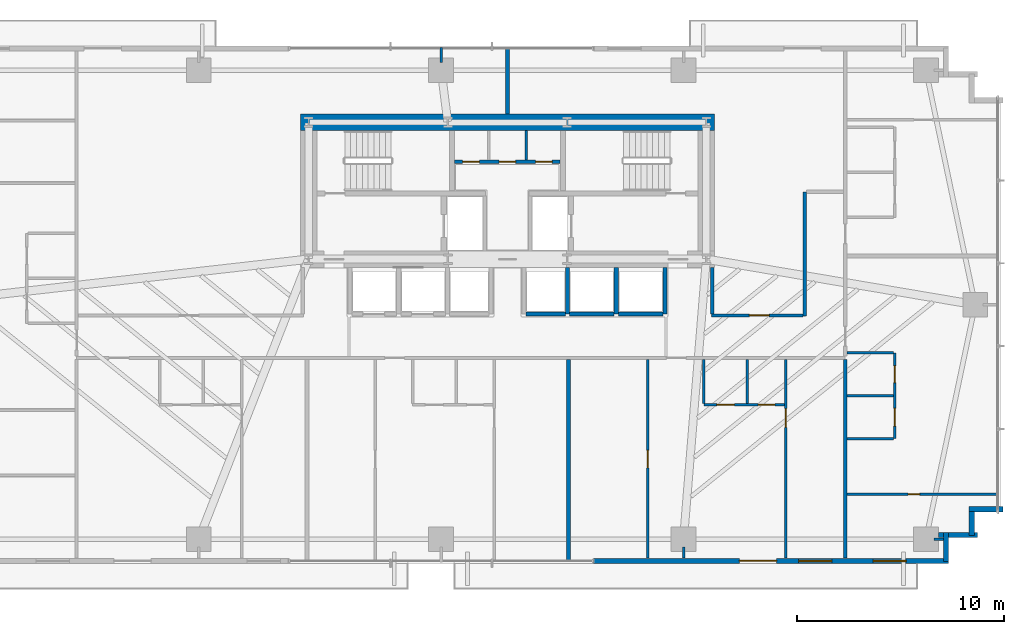
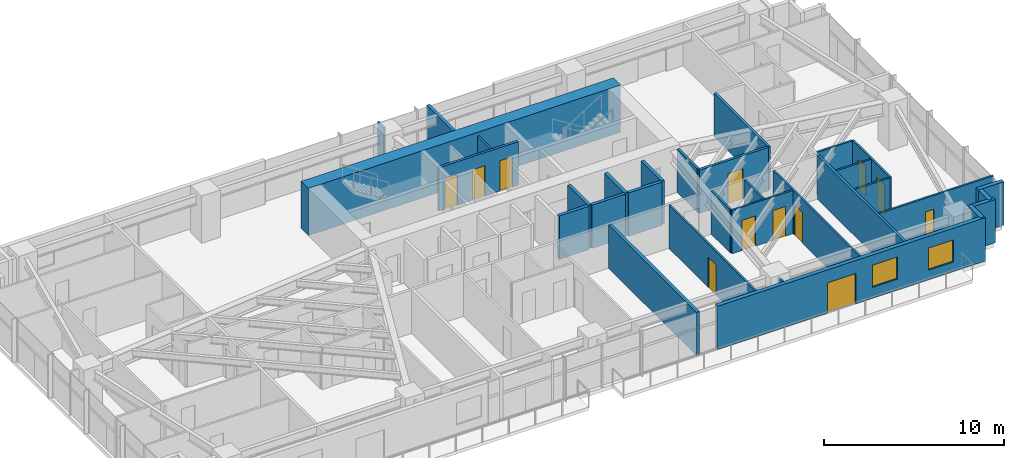
# One storey, part 21 of 25: 33 walls, 12 doors, 2 windows, 14 openings.
"""IFC4 building model written with IfcOpenShell, lengths in metres."""

from ifc_helpers import new_model, si_unit, direction, frame, frame_2d, origin, place, context, subcontext, project, spatial, rectangle, extrude, source, transform, mapped, material, layer, layer_set, type_object, type_shapes, element, fill, save


model = new_model("IFC4")

# Units and contexts
model_context = context("Model", 3, precision=1e-05, world=origin(), true_north=direction((0.0, 1.0)))
body_context = subcontext(model_context, "Body", "Model", "MODEL_VIEW")
ifc_project = project(units=[si_unit("LENGTHUNIT", "METRE"), si_unit("AREAUNIT", "SQUARE_METRE"), si_unit("VOLUMEUNIT", "CUBIC_METRE"), si_unit("PLANEANGLEUNIT", "RADIAN"), si_unit("MASSUNIT", "GRAM", prefix="KILO")], contexts=[model_context])

# Site, building, storey
site_placement = place(None, origin())
site = spatial("IfcSite", under=ifc_project, at=site_placement, CompositionType="ELEMENT")
building_placement = place(site_placement, origin())
building = spatial("IfcBuilding", under=site, at=building_placement, Name="Astriad Promenade Condominiums", CompositionType="ELEMENT")
storey_placement = place(building_placement, frame((0.0, 0.0, 42.199951171875)))
storey = spatial("IfcBuildingStorey", under=building, at=storey_placement, Name="L11", CompositionType="ELEMENT", Elevation=42.199951171875)

# Wall
ifc_material_1 = material(Name="Concrete C80/95", Category="concrete")
ifc_layer_1 = layer(ifc_material_1, 0.800048828125)
ifc_layer_set_1 = layer_set([ifc_layer_1], Name="Concrete C80/95")
wall_type_1 = type_object("IfcWallType", Name="CW-SHEAR-800", PredefinedType="SHEAR", material=ifc_layer_set_1)
wall_1_placement = place(storey_placement, frame((26.0, 24.0, 0.0), z_axis=(0.0, 0.0, 1.0), x_axis=(1.0, 0.0, 0.0)))
element("IfcWall", 1, at=wall_1_placement, inside=storey, type_object=wall_type_1, Name="CW-CORE-N-L11", PredefinedType="SHEAR", context=body_context, shape_type="SweptSolid", body=[
    extrude(rectangle(XDim=20.0, YDim=0.800048828125, at=frame_2d((10.0, 0.0))), origin(), (0.0, 0.0, 1.0), 3.199951171875),
])

# Wall, openings, doors
ifc_material_2 = material(Name="Fire-Rated Gypsum Partition")
ifc_layer_2 = layer(ifc_material_2, 0.159912109375)
ifc_layer_set_2 = layer_set([ifc_layer_2], Name="Fire-Rated Gypsum Partition")
wall_type_2 = type_object("IfcWallType", Name="WALL-CORR-160", PredefinedType="PARTITIONING", material=ifc_layer_set_2)
wall_2_placement = place(storey_placement, frame((33.451904296875, 22.10009765625, 0.0), z_axis=(0.0, 0.0, 1.0), x_axis=(1.0, 0.0, 0.0)))
wall_2 = element("IfcWall", 2, at=wall_2_placement, inside=storey, type_object=wall_type_2, Name="CW-AUX-N-L11", PredefinedType="PARTITIONING", context=body_context, shape_type="SweptSolid", body=[
    extrude(rectangle(XDim=5.09619140625, YDim=0.159912109375, at=frame_2d((2.548095703125, 0.0))), origin(), (0.0, 0.0, 1.0), 2.93994140625),
])
opening_1_placement = place(wall_2_placement, frame((0.387939453125, 0.0, 0.0)))
opening_1 = element("IfcOpeningElement", 3, at=opening_1_placement, cuts=wall_2, Name="Opening FD60-SV-080", PredefinedType="OPENING", context=body_context, shape_type="SweptSolid", body=[
    extrude(rectangle(XDim=0.800048828125, YDim=2.050048828125, at=frame_2d((0.39990234375, 1.02490234375))), frame((0.0, 0.08984375, 0.0), z_axis=(0.0, -1.0, 0.0), x_axis=(1.0, 0.0, 0.0)), (0.0, 0.0, 1.0), 0.179931640625),
])
opening_2_placement = place(wall_2_placement, frame((2.14794921875, 0.0, 0.0)))
opening_2 = element("IfcOpeningElement", 4, at=opening_2_placement, cuts=wall_2, Name="Opening FD60-SV-080", PredefinedType="OPENING", context=body_context, shape_type="SweptSolid", body=[
    extrude(rectangle(XDim=0.800048828125, YDim=2.050048828125, at=frame_2d((0.39990234375, 1.02490234375))), frame((0.0, 0.08984375, 0.0), z_axis=(0.0, -1.0, 0.0), x_axis=(1.0, 0.0, 0.0)), (0.0, 0.0, 1.0), 0.179931640625),
])
opening_3_placement = place(wall_2_placement, frame((3.907958984375, 0.0, 0.0)))
opening_3 = element("IfcOpeningElement", 5, at=opening_3_placement, cuts=wall_2, Name="Opening FD60-SV-080", PredefinedType="OPENING", context=body_context, shape_type="SweptSolid", body=[
    extrude(rectangle(XDim=0.800048828125, YDim=2.050048828125, at=frame_2d((0.39990234375, 1.02490234375))), frame((0.0, 0.08984375, 0.0), z_axis=(0.0, -1.0, 0.0), x_axis=(1.0, 0.0, 0.0)), (0.0, 0.0, 1.0), 0.179931640625),
])
ifc_material_3 = material(Name="Fire-Rated Riser Closet Door")
door_type_1 = type_object("IfcDoorType", Name="FD60-SV-080", OperationType="NOTDEFINED", PredefinedType="DOOR", material=ifc_material_3)
shared_shape_1 = source(origin(), body_context, "Body", "SweptSolid", [
    extrude(rectangle(XDim=0.800048828125, YDim=2.050048828125, at=frame_2d((0.39990234375, 1.02490234375))), frame((0.0, 0.02490234375, 0.0), z_axis=(0.0, -1.0, 0.0), x_axis=(1.0, 0.0, 0.0)), (0.0, 0.0, 1.0), 0.050048828125),
])
type_shapes(door_type_1, [shared_shape_1])
door_1_placement = place(opening_1_placement, origin())
door_1 = element("IfcDoor", 6, at=door_1_placement, inside=storey, type_object=door_type_1, Name="D-AUX1-L11", OperationType="SINGLE_SWING_RIGHT", OverallHeight=2.050048828125, OverallWidth=0.800048828125, PredefinedType="DOOR", context=body_context, shape_type="MappedRepresentation", body=[
    mapped(shared_shape_1, transform((0.0, 0.0, 0.0), scale=1.0)),
])
fill(opening_1, door_1)
door_2_placement = place(opening_2_placement, origin())
door_2 = element("IfcDoor", 7, at=door_2_placement, inside=storey, type_object=door_type_1, Name="D-AUX2-L11", OperationType="SINGLE_SWING_LEFT", OverallHeight=2.050048828125, OverallWidth=0.800048828125, PredefinedType="DOOR", context=body_context, shape_type="MappedRepresentation", body=[
    mapped(shared_shape_1, transform((0.0, 0.0, 0.0), scale=1.0)),
])
fill(opening_2, door_2)
door_3_placement = place(opening_3_placement, origin())
door_3 = element("IfcDoor", 8, at=door_3_placement, inside=storey, type_object=door_type_1, Name="D-AUX3-L11", OperationType="SINGLE_SWING_RIGHT", OverallHeight=2.050048828125, OverallWidth=0.800048828125, PredefinedType="DOOR", context=body_context, shape_type="MappedRepresentation", body=[
    mapped(shared_shape_1, transform((0.0, 0.0, 0.0), scale=1.0)),
])
fill(opening_3, door_3)

# Walls
wall_3_placement = place(storey_placement, frame((52.300048828125, 2.9619140625, 0.0), z_axis=(0.0, 0.0, 1.0), x_axis=(0.0, 1.0, 0.0)))
element("IfcWall", 9, at=wall_3_placement, inside=storey, type_object=wall_type_2, Name="PT-COR-E-L11", PredefinedType="PARTITIONING", context=body_context, shape_type="SweptSolid", body=[
    extrude(rectangle(XDim=9.586181640625, YDim=0.159912109375, at=frame_2d((4.79296875, 0.0))), origin(), (0.0, 0.0, 1.0), 2.93994140625),
])
wall_4_placement = place(storey_placement, frame((50.35009765625, 14.659912109375, 0.0), z_axis=(0.0, 0.0, 1.0), x_axis=(0.0, 1.0, 0.0)))
element("IfcWall", 10, at=wall_4_placement, inside=storey, type_object=wall_type_2, Name="PT-EALC-W-L11", PredefinedType="PARTITIONING", context=body_context, shape_type="SweptSolid", body=[
    extrude(rectangle(XDim=5.989990234375, YDim=0.159912109375, at=frame_2d((2.9951171875, 0.0))), origin(), (0.0, 0.0, 1.0), 2.93994140625),
])

# Wall, opening, door
wall_5_placement = place(storey_placement, frame((45.840087890625, 14.679931640625, 0.0), z_axis=(0.0, 0.0, 1.0), x_axis=(1.0, 0.0, 0.0)))
wall_5 = element("IfcWall", 11, at=wall_5_placement, inside=storey, type_object=wall_type_2, Name="PT-FLK-NE-L11", PredefinedType="PARTITIONING", context=body_context, shape_type="SweptSolid", body=[
    extrude(rectangle(XDim=4.427978515625, YDim=0.159912109375, at=frame_2d((2.2138671875, 0.0))), origin(), (0.0, 0.0, 1.0), 2.93994140625),
])
opening_4_placement = place(wall_5_placement, frame((1.840087890625, 0.0, 0.0)))
opening_4 = element("IfcOpeningElement", 12, at=opening_4_placement, cuts=wall_5, Name="Opening FD60-APT-095", PredefinedType="OPENING", context=body_context, shape_type="SweptSolid", body=[
    extrude(rectangle(XDim=0.949951171875, YDim=2.06005859375, at=frame_2d((0.47509765625, 1.030029296875))), frame((0.0, 0.08984375, 0.0), z_axis=(0.0, -1.0, 0.0), x_axis=(1.0, 0.0, 0.0)), (0.0, 0.0, 1.0), 0.179931640625),
])
ifc_material_4 = material(Name="Solid-Core Acoustic Timber Residence Entry Door", Category="wood")
door_type_2 = type_object("IfcDoorType", Name="FD60-APT-095", OperationType="NOTDEFINED", PredefinedType="DOOR", material=ifc_material_4)
shared_shape_2 = source(origin(), body_context, "Body", "SweptSolid", [
    extrude(rectangle(XDim=0.949951171875, YDim=2.06005859375, at=frame_2d((0.47509765625, 1.030029296875))), frame((0.0, 0.02490234375, 0.0), z_axis=(0.0, -1.0, 0.0), x_axis=(1.0, 0.0, 0.0)), (0.0, 0.0, 1.0), 0.050048828125),
])
type_shapes(door_type_2, [shared_shape_2])
door_4_placement = place(opening_4_placement, origin())
door_4 = element("IfcDoor", 13, at=door_4_placement, inside=storey, type_object=door_type_2, Name="D-NEA-L11", OperationType="SINGLE_SWING_RIGHT", OverallHeight=2.06005859375, OverallWidth=0.949951171875, PredefinedType="DOOR", context=body_context, shape_type="MappedRepresentation", body=[
    mapped(shared_shape_2, transform((0.0, 0.0, 0.0), scale=1.0)),
])
fill(opening_4, door_4)

# Walls
wall_6_placement = place(storey_placement, frame((45.8798828125, 14.761962890625, 0.0), z_axis=(0.0, 0.0, 1.0), x_axis=(0.0, 1.0, 0.0)))
element("IfcWall", 14, at=wall_6_placement, inside=storey, type_object=wall_type_2, Name="PT-ESPUR-E-L11", PredefinedType="PARTITIONING", context=body_context, shape_type="SweptSolid", body=[
    extrude(rectangle(XDim=2.236083984375, YDim=0.159912109375, at=frame_2d((1.1181640625, 0.0))), origin(), (0.0, 0.0, 1.0), 2.93994140625),
])
ifc_material_5 = material(Name="Acoustic Double-Stud Gypsum Partition")
ifc_layer_3 = layer(ifc_material_5, 0.199951171875)
ifc_layer_set_3 = layer_set([ifc_layer_3], Name="Acoustic Double-Stud Gypsum Partition")
wall_type_3 = type_object("IfcWallType", Name="WALL-DEMISING-200", PredefinedType="PARTITIONING", material=ifc_layer_set_3)
wall_7_placement = place(storey_placement, frame((36.0, 24.402099609375, 0.0), z_axis=(0.0, 0.0, 1.0), x_axis=(0.0, 1.0, 0.0)))
element("IfcWall", 15, at=wall_7_placement, inside=storey, type_object=wall_type_3, Name="PT-NC-MID-L11", PredefinedType="PARTITIONING", context=body_context, shape_type="SweptSolid", body=[
    extrude(rectangle(XDim=3.218017578125, YDim=0.199951171875, at=frame_2d((1.60888671875, 0.0))), origin(), (0.0, 0.0, 1.0), 2.93994140625),
])
wall_8_placement = place(storey_placement, frame((38.944091796875, 2.780029296875, 0.0), z_axis=(0.0, 0.0, 1.0), x_axis=(0.0, 1.0, 0.0)))
element("IfcWall", 16, at=wall_8_placement, inside=storey, type_object=wall_type_3, Name="PT-DEM-S2-L11", PredefinedType="PARTITIONING", context=body_context, shape_type="SweptSolid", body=[
    extrude(rectangle(XDim=9.76806640625, YDim=0.199951171875, at=frame_2d((4.884033203125, 0.0))), origin(), (0.0, 0.0, 1.0), 2.93994140625),
])
ifc_material_6 = material(Name="Precast concrete C50/60", Category="concrete")
ifc_layer_4 = layer(ifc_material_6, 0.260009765625)
ifc_layer_set_4 = layer_set([ifc_layer_4], Name="Precast concrete C50/60")
wall_type_4 = type_object("IfcWallType", Name="WALL-EXT-TWR-260", PredefinedType="STANDARD", material=ifc_layer_set_4)
wall_9_placement = place(storey_placement, frame((59.929931640625, 5.330078125, 0.0), z_axis=(0.0, 0.0, 1.0), x_axis=(-1.0, 0.0, 0.0)))
element("IfcWall", 17, at=wall_9_placement, inside=storey, type_object=wall_type_4, Name="W-SER-L11-14", PredefinedType="STANDARD", context=body_context, shape_type="SweptSolid", body=[
    extrude(rectangle(XDim=1.639892578125, YDim=0.260009765625, at=frame_2d((0.81982421875, 0.0))), origin(), (0.0, 0.0, 1.0), 2.93994140625),
])
wall_10_placement = place(storey_placement, frame((58.419921875, 5.215087890625, 0.0), z_axis=(0.0, 0.0, 1.0), x_axis=(0.0, -1.0, 0.0)))
element("IfcWall", 18, at=wall_10_placement, inside=storey, type_object=wall_type_4, Name="W-SER-L11-15", PredefinedType="STANDARD", context=body_context, shape_type="SweptSolid", body=[
    extrude(rectangle(XDim=1.150146484375, YDim=0.260009765625, at=frame_2d((0.5751953125, 0.0))), origin(), (0.0, 0.0, 1.0), 2.93994140625),
])
wall_11_placement = place(storey_placement, frame((58.679931640625, 4.080078125, 0.0), z_axis=(0.0, 0.0, 1.0), x_axis=(-1.0, 0.0, 0.0)))
element("IfcWall", 19, at=wall_11_placement, inside=storey, type_object=wall_type_4, Name="W-SER-L11-16", PredefinedType="STANDARD", context=body_context, shape_type="SweptSolid", body=[
    extrude(rectangle(XDim=1.8779296875, YDim=0.260009765625, at=frame_2d((0.93896484375, 0.0))), origin(), (0.0, 0.0, 1.0), 2.93994140625),
])
wall_12_placement = place(storey_placement, frame((57.169921875, 4.2099609375, 0.0), z_axis=(0.0, 0.0, 1.0), x_axis=(0.0, -1.0, 0.0)))
element("IfcWall", 20, at=wall_12_placement, inside=storey, type_object=wall_type_4, Name="W-SER-L11-17", PredefinedType="STANDARD", context=body_context, shape_type="SweptSolid", body=[
    extrude(rectangle(XDim=1.39501953125, YDim=0.260009765625, at=frame_2d((0.697509765625, 0.0))), origin(), (0.0, 0.0, 1.0), 2.93994140625),
])

# Wall, openings, door, windows
wall_13_placement = place(storey_placement, frame((57.300048828125, 2.830078125, 0.0), z_axis=(0.0, 0.0, 1.0), x_axis=(-1.0, 0.0, 0.0)))
wall_13 = element("IfcWall", 21, at=wall_13_placement, inside=storey, type_object=wall_type_4, Name="W-EXT-L11-S1", PredefinedType="STANDARD", context=body_context, shape_type="SweptSolid", body=[
    extrude(rectangle(XDim=17.150146484375, YDim=0.260009765625, at=frame_2d((8.5751953125, 0.0))), origin(), (0.0, 0.0, 1.0), 2.93994140625),
])
opening_5_placement = place(wall_13_placement, frame((8.30810546875, 0.0, 0.0)))
opening_5 = element("IfcOpeningElement", 22, at=opening_5_placement, cuts=wall_13, Name="Opening BD-1822-SLD", PredefinedType="OPENING", context=body_context, shape_type="SweptSolid", body=[
    extrude(rectangle(XDim=1.800048828125, YDim=2.06005859375, at=frame_2d((0.89990234375, 1.030029296875))), frame((0.0, 0.139892578125, 0.0), z_axis=(0.0, -1.0, 0.0), x_axis=(1.0, 0.0, 0.0)), (0.0, 0.0, 1.0), 0.280029296875),
])
opening_6_placement = place(wall_13_placement, frame((2.050048828125, 0.0, 0.64990234375)))
opening_6 = element("IfcOpeningElement", 23, at=opening_6_placement, cuts=wall_13, Name="Opening WIN-TWR-1620", PredefinedType="OPENING", context=body_context, shape_type="SweptSolid", body=[
    extrude(rectangle(XDim=1.60009765625, YDim=1.5, at=frame_2d((0.800048828125, 0.75))), frame((0.0, 0.139892578125, 0.0), z_axis=(0.0, -1.0, 0.0), x_axis=(1.0, 0.0, 0.0)), (0.0, 0.0, 1.0), 0.280029296875),
])
opening_7_placement = place(wall_13_placement, frame((5.64404296875, 0.0, 0.75)))
opening_7 = element("IfcOpeningElement", 24, at=opening_7_placement, cuts=wall_13, Name="Opening WIN-TWR-1620", PredefinedType="OPENING", context=body_context, shape_type="SweptSolid", body=[
    extrude(rectangle(XDim=1.60009765625, YDim=1.5, at=frame_2d((0.800048828125, 0.75))), frame((0.0, 0.139892578125, 0.0), z_axis=(0.0, -1.0, 0.0), x_axis=(1.0, 0.0, 0.0)), (0.0, 0.0, 1.0), 0.280029296875),
])
ifc_material_7 = material(Name="Thermally Broken Aluminium Sliding Balcony Door", Category="aluminium")
door_type_3 = type_object("IfcDoorType", Name="BD-1822-SLD", OperationType="NOTDEFINED", PredefinedType="DOOR", material=ifc_material_7)
shared_shape_3 = source(origin(), body_context, "Body", "SweptSolid", [
    extrude(rectangle(XDim=1.800048828125, YDim=2.06005859375, at=frame_2d((0.89990234375, 1.030029296875))), frame((0.0, 0.02490234375, 0.0), z_axis=(0.0, -1.0, 0.0), x_axis=(1.0, 0.0, 0.0)), (0.0, 0.0, 1.0), 0.050048828125),
])
type_shapes(door_type_3, [shared_shape_3])
door_5_placement = place(opening_5_placement, origin())
door_5 = element("IfcDoor", 25, at=door_5_placement, inside=storey, type_object=door_type_3, Name="BD-L11-SE", OperationType="SLIDING_TO_RIGHT", OverallHeight=2.06005859375, OverallWidth=1.800048828125, PredefinedType="DOOR", context=body_context, shape_type="MappedRepresentation", body=[
    mapped(shared_shape_3, transform((0.0, 0.0, 0.0), scale=1.0)),
])
fill(opening_5, door_5)
ifc_material_8 = material(Name="Dark Tinted Triple-Glazed Aluminium Window", Category="aluminium")
window_type = type_object("IfcWindowType", Name="WIN-TWR-1620", PartitioningType="SINGLE_PANEL", PredefinedType="WINDOW", material=ifc_material_8)
shared_shape_4 = source(origin(), body_context, "Body", "SweptSolid", [
    extrude(rectangle(XDim=1.60009765625, YDim=1.5, at=frame_2d((0.800048828125, 0.75))), frame((0.0, 0.030029296875, 0.0), z_axis=(0.0, -1.0, 0.0), x_axis=(1.0, 0.0, 0.0)), (0.0, 0.0, 1.0), 0.06005859375),
])
type_shapes(window_type, [shared_shape_4])
window_1_placement = place(opening_6_placement, origin())
window_1 = element("IfcWindow", 26, at=window_1_placement, inside=storey, type_object=window_type, Name="WIN-L11-SE", OverallHeight=1.5, OverallWidth=1.60009765625, PartitioningType="SINGLE_PANEL", PredefinedType="WINDOW", context=body_context, shape_type="MappedRepresentation", body=[
    mapped(shared_shape_4, transform((0.0, 0.0, 0.0), scale=1.0)),
])
fill(opening_6, window_1)
window_2_placement = place(opening_7_placement, origin())
window_2 = element("IfcWindow", 27, at=window_2_placement, inside=storey, type_object=window_type, Name="WIN-DW-L11-S3-BD1", OverallHeight=1.5, OverallWidth=1.60009765625, PartitioningType="SINGLE_PANEL", PredefinedType="WINDOW", context=body_context, shape_type="MappedRepresentation", body=[
    mapped(shared_shape_4, transform((0.0, 0.0, 0.0), scale=1.0)),
])
fill(opening_7, window_2)

# Wall
ifc_material_9 = material(Name="Acoustic Metal-Stud Gypsum Partition")
ifc_layer_5 = layer(ifc_material_9, 0.1201171875)
ifc_layer_set_5 = layer_set([ifc_layer_5], Name="Acoustic Metal-Stud Gypsum Partition")
wall_type_5 = type_object("IfcWallType", Name="WALL-PART-120", PredefinedType="PARTITIONING", material=ifc_layer_set_5)
wall_14_placement = place(storey_placement, frame((36.89990234375, 22.181884765625, 0.0), z_axis=(0.0, 0.0, 1.0), x_axis=(0.0, 1.0, 0.0)))
element("IfcWall", 28, at=wall_14_placement, inside=storey, type_object=wall_type_5, Name="CW-AUX-V2-L11", PredefinedType="PARTITIONING", context=body_context, shape_type="SweptSolid", body=[
    extrude(rectangle(XDim=1.416015625, YDim=0.1201171875, at=frame_2d((0.7080078125, 0.0))), origin(), (0.0, 0.0, 1.0), 2.93994140625),
])

# Wall, opening, door
wall_15_placement = place(storey_placement, frame((49.430908203125, 2.9619140625, 0.0), z_axis=(0.0, 0.0, 1.0), x_axis=(0.0, 1.0, 0.0)))
wall_15 = element("IfcWall", 29, at=wall_15_placement, inside=storey, type_object=wall_type_5, Name="PT-L11-S3-BD1", PredefinedType="PARTITIONING", context=body_context, shape_type="SweptSolid", body=[
    extrude(rectangle(XDim=9.586181640625, YDim=0.1201171875, at=frame_2d((4.79296875, 0.0))), origin(), (0.0, 0.0, 1.0), 2.93994140625),
])
opening_8_placement = place(wall_15_placement, frame((6.318115234375, 0.0, 0.0)))
opening_8 = element("IfcOpeningElement", 30, at=opening_8_placement, cuts=wall_15, Name="Opening D-INT-090", PredefinedType="OPENING", context=body_context, shape_type="SweptSolid", body=[
    extrude(rectangle(XDim=0.89990234375, YDim=2.050048828125, at=frame_2d((0.449951171875, 1.02490234375))), frame((0.0, 0.070068359375, 0.0), z_axis=(0.0, -1.0, 0.0), x_axis=(1.0, 0.0, 0.0)), (0.0, 0.0, 1.0), 0.14013671875),
])
ifc_material_10 = material(Name="Painted Solid-Core Timber Bedroom Door", Category="wood")
door_type_4 = type_object("IfcDoorType", Name="D-INT-090", OperationType="NOTDEFINED", PredefinedType="DOOR", material=ifc_material_10)
shared_shape_5 = source(origin(), body_context, "Body", "SweptSolid", [
    extrude(rectangle(XDim=0.89990234375, YDim=2.050048828125, at=frame_2d((0.449951171875, 1.02490234375))), frame((0.0, 0.02490234375, 0.0), z_axis=(0.0, -1.0, 0.0), x_axis=(1.0, 0.0, 0.0)), (0.0, 0.0, 1.0), 0.050048828125),
])
type_shapes(door_type_4, [shared_shape_5])
door_6_placement = place(opening_8_placement, origin())
door_6 = element("IfcDoor", 31, at=door_6_placement, inside=storey, type_object=door_type_4, Name="D-BD1-L11-S3", OperationType="SINGLE_SWING_RIGHT", OverallHeight=2.050048828125, OverallWidth=0.89990234375, PredefinedType="DOOR", context=body_context, shape_type="MappedRepresentation", body=[
    mapped(shared_shape_5, transform((0.0, 0.0, 0.0), scale=1.0)),
])
fill(opening_8, door_6)

# Wall, openings, doors
wall_16_placement = place(storey_placement, frame((45.48095703125, 10.3798828125, 0.0), z_axis=(0.0, 0.0, 1.0), x_axis=(1.0, 0.0, 0.0)))
wall_16 = element("IfcWall", 32, at=wall_16_placement, inside=storey, type_object=wall_type_5, Name="PT-L11-S3-PS", PredefinedType="PARTITIONING", context=body_context, shape_type="SweptSolid", body=[
    extrude(rectangle(XDim=3.887939453125, YDim=0.1201171875, at=frame_2d((1.94384765625, 0.0))), origin(), (0.0, 0.0, 1.0), 2.93994140625),
])
opening_9_placement = place(wall_16_placement, frame((0.625, 0.0, 0.0)))
opening_9 = element("IfcOpeningElement", 33, at=opening_9_placement, cuts=wall_16, Name="Opening D-INT-085", PredefinedType="OPENING", context=body_context, shape_type="SweptSolid", body=[
    extrude(rectangle(XDim=0.85009765625, YDim=2.050048828125, at=frame_2d((0.425048828125, 1.02490234375))), frame((0.0, 0.070068359375, 0.0), z_axis=(0.0, -1.0, 0.0), x_axis=(1.0, 0.0, 0.0)), (0.0, 0.0, 1.0), 0.14013671875),
])
opening_10_placement = place(wall_16_placement, frame((2.625, 0.0, 0.0)))
opening_10 = element("IfcOpeningElement", 34, at=opening_10_placement, cuts=wall_16, Name="Opening D-WET-080", PredefinedType="OPENING", context=body_context, shape_type="SweptSolid", body=[
    extrude(rectangle(XDim=0.800048828125, YDim=2.02001953125, at=frame_2d((0.39990234375, 1.010009765625))), frame((0.0, 0.070068359375, 0.0), z_axis=(0.0, -1.0, 0.0), x_axis=(1.0, 0.0, 0.0)), (0.0, 0.0, 1.0), 0.14013671875),
])
ifc_material_11 = material(Name="Moisture-Resistant Timber Bathroom Door", Category="wood")
door_type_5 = type_object("IfcDoorType", Name="D-WET-080", OperationType="NOTDEFINED", PredefinedType="DOOR", material=ifc_material_11)
shared_shape_6 = source(origin(), body_context, "Body", "SweptSolid", [
    extrude(rectangle(XDim=0.800048828125, YDim=2.02001953125, at=frame_2d((0.39990234375, 1.010009765625))), frame((0.0, 0.02490234375, 0.0), z_axis=(0.0, -1.0, 0.0), x_axis=(1.0, 0.0, 0.0)), (0.0, 0.0, 1.0), 0.050048828125),
])
type_shapes(door_type_5, [shared_shape_6])
door_7_placement = place(opening_10_placement, origin())
door_7 = element("IfcDoor", 35, at=door_7_placement, inside=storey, type_object=door_type_5, Name="D-BTH-L11-S3", OperationType="SINGLE_SWING_RIGHT", OverallHeight=2.02001953125, OverallWidth=0.800048828125, PredefinedType="DOOR", context=body_context, shape_type="MappedRepresentation", body=[
    mapped(shared_shape_6, transform((0.0, 0.0, 0.0), scale=1.0)),
])
fill(opening_10, door_7)
ifc_material_12 = material(Name="Painted Solid-Core Timber Room Door", Category="wood")
door_type_6 = type_object("IfcDoorType", Name="D-INT-085", OperationType="NOTDEFINED", PredefinedType="DOOR", material=ifc_material_12)
shared_shape_7 = source(origin(), body_context, "Body", "SweptSolid", [
    extrude(rectangle(XDim=0.85009765625, YDim=2.050048828125, at=frame_2d((0.425048828125, 1.02490234375))), frame((0.0, 0.02490234375, 0.0), z_axis=(0.0, -1.0, 0.0), x_axis=(1.0, 0.0, 0.0)), (0.0, 0.0, 1.0), 0.050048828125),
])
type_shapes(door_type_6, [shared_shape_7])
door_8_placement = place(opening_9_placement, origin())
door_8 = element("IfcDoor", 36, at=door_8_placement, inside=storey, type_object=door_type_6, Name="D-KIT-L11-S3", OperationType="SINGLE_SWING_LEFT", OverallHeight=2.050048828125, OverallWidth=0.85009765625, PredefinedType="DOOR", context=body_context, shape_type="MappedRepresentation", body=[
    mapped(shared_shape_7, transform((0.0, 0.0, 0.0), scale=1.0)),
])
fill(opening_9, door_8)

# Walls
for number, where, z_axis, x_axis, name in (
    (37, (47.5810546875, 10.44189453125, 0.0), (0.0, 0.0, 1.0), (0.0, 1.0, 0.0), "PT-L11-S3-PBK"),
    (38, (45.48095703125, 10.44189453125, 0.0), (0.0, 0.0, 1.0), (0.0, 1.0, 0.0), "PT-L11-S3-PKW"),
):
    element("IfcWall", number, at=place(storey_placement, frame(where, z_axis=z_axis, x_axis=x_axis)), inside=storey, type_object=wall_type_5, Name=name, PredefinedType="PARTITIONING", context=body_context, shape_type="SweptSolid", body=[
        extrude(rectangle(XDim=2.106201171875, YDim=0.1201171875, at=frame_2d((1.05322265625, 0.0))), origin(), (0.0, 0.0, 1.0), 2.93994140625),
    ])

# Wall, opening, door
wall_17_placement = place(storey_placement, frame((42.761962890625, 2.9619140625, 0.0), z_axis=(0.0, 0.0, 1.0), x_axis=(0.0, 1.0, 0.0)))
wall_17 = element("IfcWall", 39, at=wall_17_placement, inside=storey, type_object=wall_type_5, Name="PT-L11-S3-CAP1", PredefinedType="PARTITIONING", context=body_context, shape_type="SweptSolid", body=[
    extrude(rectangle(XDim=9.586181640625, YDim=0.1201171875, at=frame_2d((4.79296875, 0.0))), origin(), (0.0, 0.0, 1.0), 2.93994140625),
])
opening_11_placement = place(wall_17_placement, frame((4.35791015625, 0.0, 0.0)))
opening_11 = element("IfcOpeningElement", 40, at=opening_11_placement, cuts=wall_17, Name="Opening D-INT-085", PredefinedType="OPENING", context=body_context, shape_type="SweptSolid", body=[
    extrude(rectangle(XDim=0.85009765625, YDim=2.050048828125, at=frame_2d((0.425048828125, 1.02490234375))), frame((0.0, 0.070068359375, 0.0), z_axis=(0.0, -1.0, 0.0), x_axis=(1.0, 0.0, 0.0)), (0.0, 0.0, 1.0), 0.14013671875),
])
door_9_placement = place(opening_11_placement, origin())
door_9 = element("IfcDoor", 41, at=door_9_placement, inside=storey, type_object=door_type_6, Name="D-CAP1-L11-S3", OperationType="SINGLE_SWING_RIGHT", OverallHeight=2.050048828125, OverallWidth=0.85009765625, PredefinedType="DOOR", context=body_context, shape_type="MappedRepresentation", body=[
    mapped(shared_shape_7, transform((0.0, 0.0, 0.0), scale=1.0)),
])
fill(opening_11, door_9)

# Wall, openings, doors
wall_18_placement = place(storey_placement, frame((54.699951171875, 8.72998046875, 0.0), z_axis=(0.0, 0.0, 1.0), x_axis=(0.0, 1.0, 0.0)))
wall_18 = element("IfcWall", 42, at=wall_18_placement, inside=storey, type_object=wall_type_5, Name="PT-L11-E1-PV", PredefinedType="PARTITIONING", context=body_context, shape_type="SweptSolid", body=[
    extrude(rectangle(XDim=4.14990234375, YDim=0.1201171875, at=frame_2d((2.074951171875, 0.0))), origin(), (0.0, 0.0, 1.0), 2.93994140625),
])
opening_12_placement = place(wall_18_placement, frame((0.613037109375, 0.0, 0.0)))
opening_12 = element("IfcOpeningElement", 43, at=opening_12_placement, cuts=wall_18, Name="Opening D-INT-085", PredefinedType="OPENING", context=body_context, shape_type="SweptSolid", body=[
    extrude(rectangle(XDim=0.85009765625, YDim=2.050048828125, at=frame_2d((0.425048828125, 1.02490234375))), frame((0.0, 0.070068359375, 0.0), z_axis=(0.0, -1.0, 0.0), x_axis=(1.0, 0.0, 0.0)), (0.0, 0.0, 1.0), 0.14013671875),
])
opening_13_placement = place(wall_18_placement, frame((2.712890625, 0.0, 0.0)))
opening_13 = element("IfcOpeningElement", 44, at=opening_13_placement, cuts=wall_18, Name="Opening D-WET-080", PredefinedType="OPENING", context=body_context, shape_type="SweptSolid", body=[
    extrude(rectangle(XDim=0.800048828125, YDim=2.02001953125, at=frame_2d((0.39990234375, 1.010009765625))), frame((0.0, 0.070068359375, 0.0), z_axis=(0.0, -1.0, 0.0), x_axis=(1.0, 0.0, 0.0)), (0.0, 0.0, 1.0), 0.14013671875),
])
door_10_placement = place(opening_13_placement, origin())
door_10 = element("IfcDoor", 45, at=door_10_placement, inside=storey, type_object=door_type_5, Name="D-BTH-L11-E1", OperationType="SINGLE_SWING_LEFT", OverallHeight=2.02001953125, OverallWidth=0.800048828125, PredefinedType="DOOR", context=body_context, shape_type="MappedRepresentation", body=[
    mapped(shared_shape_6, transform((0.0, 0.0, 0.0), scale=1.0)),
])
fill(opening_13, door_10)
door_11_placement = place(opening_12_placement, origin())
door_11 = element("IfcDoor", 46, at=door_11_placement, inside=storey, type_object=door_type_6, Name="D-KIT-L11-E1", OperationType="SINGLE_SWING_RIGHT", OverallHeight=2.050048828125, OverallWidth=0.85009765625, PredefinedType="DOOR", context=body_context, shape_type="MappedRepresentation", body=[
    mapped(shared_shape_7, transform((0.0, 0.0, 0.0), scale=1.0)),
])
fill(opening_12, door_11)

# Walls
for number, where, z_axis, x_axis, name in (
    (47, (52.382080078125, 10.804931640625, 0.0), (0.0, 0.0, 1.0), (1.0, 0.0, 0.0), "PT-L11-E1-PM"),
    (48, (52.382080078125, 8.72998046875, 0.0), (0.0, 0.0, 1.0), (1.0, 0.0, 0.0), "PT-L11-E1-PS"),
    (49, (52.382080078125, 12.8798828125, 0.0), (0.0, 0.0, 1.0), (1.0, 0.0, 0.0), "PT-L11-E1-PN"),
):
    element("IfcWall", number, at=place(storey_placement, frame(where, z_axis=z_axis, x_axis=x_axis)), inside=storey, type_object=wall_type_5, Name=name, PredefinedType="PARTITIONING", context=body_context, shape_type="SweptSolid", body=[
        extrude(rectangle(XDim=2.255859375, YDim=0.1201171875, at=frame_2d((1.1279296875, 0.0))), origin(), (0.0, 0.0, 1.0), 2.93994140625),
    ])

# Wall, opening, door
wall_19_placement = place(storey_placement, frame((52.382080078125, 6.0439453125, 0.0), z_axis=(0.0, 0.0, 1.0), x_axis=(1.0, 0.0, 0.0)))
wall_19 = element("IfcWall", 50, at=wall_19_placement, inside=storey, type_object=wall_type_5, Name="PT-L11-E1-WDS1", PredefinedType="PARTITIONING", context=body_context, shape_type="SweptSolid", body=[
    extrude(rectangle(XDim=7.337890625, YDim=0.1201171875, at=frame_2d((3.6689453125, 0.0))), origin(), (0.0, 0.0, 1.0), 2.93994140625),
])
opening_14_placement = place(wall_19_placement, frame((2.962890625, 0.0, 0.0)))
opening_14 = element("IfcOpeningElement", 51, at=opening_14_placement, cuts=wall_19, Name="Opening D-AC-055", PredefinedType="OPENING", context=body_context, shape_type="SweptSolid", body=[
    extrude(rectangle(XDim=0.550048828125, YDim=2.0, at=frame_2d((0.27490234375, 1.0))), frame((0.0, 0.070068359375, 0.0), z_axis=(0.0, -1.0, 0.0), x_axis=(1.0, 0.0, 0.0)), (0.0, 0.0, 1.0), 0.14013671875),
])
ifc_material_13 = material(Name="Painted Timber Access Door", Category="wood")
door_type_7 = type_object("IfcDoorType", Name="D-AC-055", OperationType="NOTDEFINED", PredefinedType="DOOR", material=ifc_material_13)
shared_shape_8 = source(origin(), body_context, "Body", "SweptSolid", [
    extrude(rectangle(XDim=0.550048828125, YDim=2.0, at=frame_2d((0.27490234375, 1.0))), frame((0.0, 0.02490234375, 0.0), z_axis=(0.0, -1.0, 0.0), x_axis=(1.0, 0.0, 0.0)), (0.0, 0.0, 1.0), 0.050048828125),
])
type_shapes(door_type_7, [shared_shape_8])
door_12_placement = place(opening_14_placement, origin())
door_12 = element("IfcDoor", 52, at=door_12_placement, inside=storey, type_object=door_type_7, Name="D-WDS1-L11-E1", OperationType="SINGLE_SWING_RIGHT", OverallHeight=2.0, OverallWidth=0.550048828125, PredefinedType="DOOR", context=body_context, shape_type="MappedRepresentation", body=[
    mapped(shared_shape_8, transform((0.0, 0.0, 0.0), scale=1.0)),
])
fill(opening_14, door_12)

# Walls
wall_20_placement = place(storey_placement, frame((44.5, 3.5, 0.0), z_axis=(0.0, 0.0, 1.0), x_axis=(0.0, -1.0, 0.0)))
element("IfcWall", 53, at=wall_20_placement, inside=storey, type_object=wall_type_5, Name="PT-PIL-L11-PC04-11", PredefinedType="PARTITIONING", context=body_context, shape_type="SweptSolid", body=[
    extrude(rectangle(XDim=0.5380859375, YDim=0.1201171875, at=frame_2d((0.26904296875, 0.0))), origin(), (0.0, 0.0, 1.0), 2.93994140625),
])
wall_21_placement = place(storey_placement, frame((56.580078125, 3.8798828125, 0.0), z_axis=(0.0, 0.0, 1.0), x_axis=(1.0, 0.0, 0.0)))
element("IfcWall", 54, at=wall_21_placement, inside=storey, type_object=wall_type_5, Name="PT-PIL-L11-PC05-12", PredefinedType="PARTITIONING", context=body_context, shape_type="SweptSolid", body=[
    extrude(rectangle(XDim=0.4580078125, YDim=0.1201171875, at=frame_2d((0.22900390625, 0.0))), origin(), (0.0, 0.0, 1.0), 2.93994140625),
])
wall_22_placement = place(storey_placement, frame((32.800048828125, 26.89990234375, 0.0), z_axis=(0.0, 0.0, 1.0), x_axis=(0.0, 1.0, 0.0)))
element("IfcWall", 55, at=wall_22_placement, inside=storey, type_object=wall_type_5, Name="PT-PIL-L11-PC08-15", PredefinedType="PARTITIONING", context=body_context, shape_type="SweptSolid", body=[
    extrude(rectangle(XDim=0.72021484375, YDim=0.1201171875, at=frame_2d((0.360107421875, 0.0))), origin(), (0.0, 0.0, 1.0), 2.93994140625),
])
ifc_material_14 = material(Name="Gypsum Shaftliner Assembly")
ifc_layer_6 = layer(ifc_material_14, 0.199951171875)
ifc_layer_set_6 = layer_set([ifc_layer_6], Name="Gypsum Shaftliner Assembly")
wall_type_6 = type_object("IfcWallType", Name="WALL-SHAFT-200", PredefinedType="PARTITIONING", material=ifc_layer_set_6)
wall_23_placement = place(storey_placement, frame((38.89990234375, 14.75, 0.0), z_axis=(0.0, 0.0, 1.0), x_axis=(0.0, 1.0, 0.0)))
element("IfcWall", 56, at=wall_23_placement, inside=storey, type_object=wall_type_6, Name="PL-MH-DIV-L11", PredefinedType="PARTITIONING", context=body_context, shape_type="SweptSolid", body=[
    extrude(rectangle(XDim=2.248046875, YDim=0.199951171875, at=frame_2d((1.1240234375, 0.0))), origin(), (0.0, 0.0, 1.0), 2.93994140625),
])
wall_24_placement = place(storey_placement, frame((36.902099609375, 14.75, 0.0), z_axis=(0.0, 0.0, 1.0), x_axis=(1.0, 0.0, 0.0)))
element("IfcWall", 57, at=wall_24_placement, inside=storey, type_object=wall_type_6, Name="PL-M2-F-L11", PredefinedType="PARTITIONING", context=body_context, shape_type="SweptSolid", body=[
    extrude(rectangle(XDim=1.89599609375, YDim=0.199951171875, at=frame_2d((0.947998046875, 0.0))), origin(), (0.0, 0.0, 1.0), 2.93994140625),
])
for number, where, z_axis, x_axis, name in (
    (58, (41.25, 14.75, 0.0), (0.0, 0.0, 1.0), (0.0, 1.0, 0.0), "PL-H-DIV-L11"),
    (59, (43.60009765625, 14.75, 0.0), (0.0, 0.0, 1.0), (0.0, 1.0, 0.0), "PL-E-OUT-L11"),
):
    element("IfcWall", number, at=place(storey_placement, frame(where, z_axis=z_axis, x_axis=x_axis)), inside=storey, type_object=wall_type_6, Name=name, PredefinedType="PARTITIONING", context=body_context, shape_type="SweptSolid", body=[
        extrude(rectangle(XDim=2.248046875, YDim=0.199951171875, at=frame_2d((1.1240234375, 0.0))), origin(), (0.0, 0.0, 1.0), 2.93994140625),
    ])
for number, where, z_axis, x_axis, name in (
    (60, (39.001953125, 14.75, 0.0), (0.0, 0.0, 1.0), (1.0, 0.0, 0.0), "PL-H-FRT-L11"),
    (61, (41.35205078125, 14.75, 0.0), (0.0, 0.0, 1.0), (1.0, 0.0, 0.0), "PL-H-FRT-L11-S2"),
):
    element("IfcWall", number, at=place(storey_placement, frame(where, z_axis=z_axis, x_axis=x_axis)), inside=storey, type_object=wall_type_6, Name=name, PredefinedType="PARTITIONING", context=body_context, shape_type="SweptSolid", body=[
        extrude(rectangle(XDim=2.14599609375, YDim=0.199951171875, at=frame_2d((1.072998046875, 0.0))), origin(), (0.0, 0.0, 1.0), 2.93994140625),
    ])

save(model, "model.ifc")
